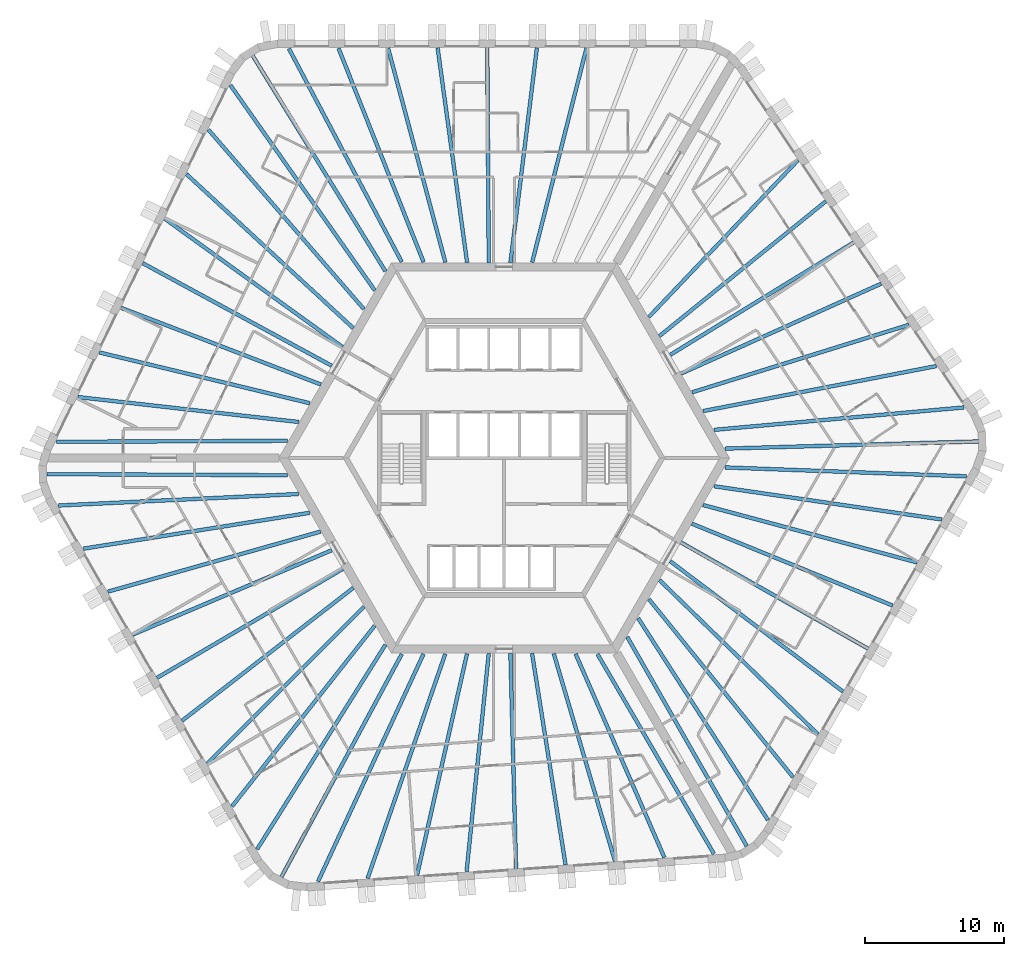
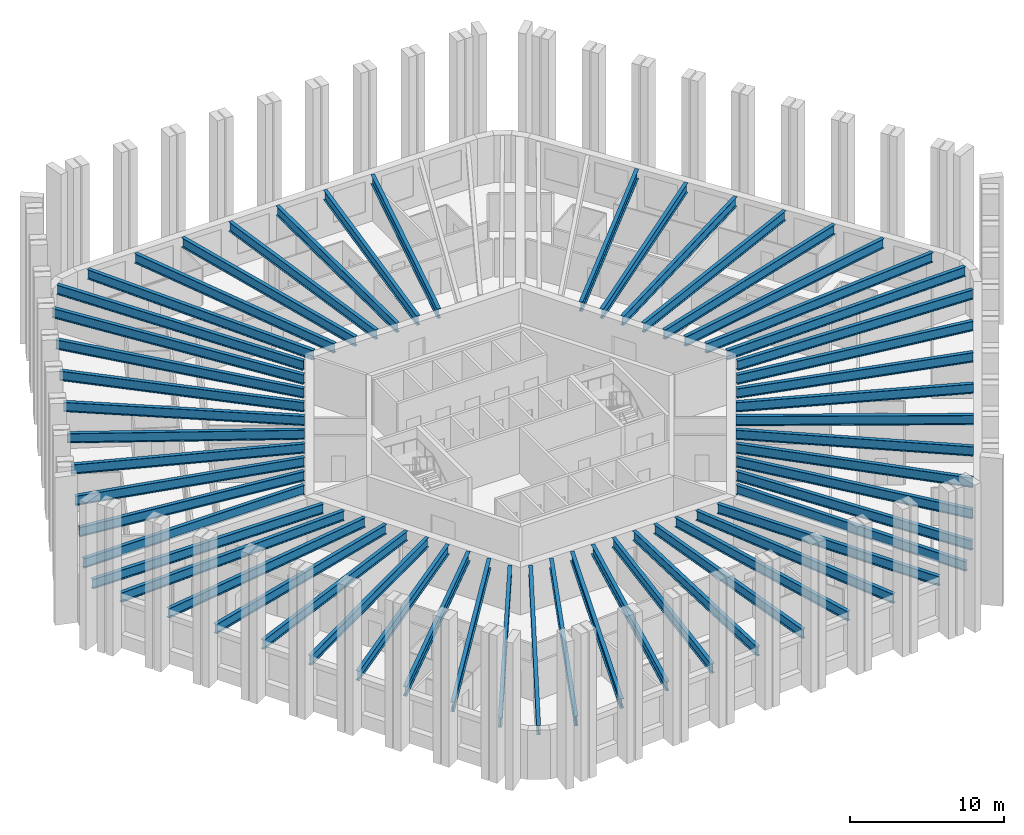
# One storey, part 1 of 13: 55 beams.
"""IFC4 building model written with IfcOpenShell, lengths in metres."""

from ifc_helpers import new_model, si_unit, direction, frame, origin, origin_2d, place, context, subcontext, project, spatial, i_section, extrude, material, material_profile, profile_set, type_object, element, save


model = new_model("IFC4")

# Units and contexts
model_context = context("Model", 3, precision=1e-05, world=origin(), true_north=direction((0.0, 1.0)))
body_context = subcontext(model_context, "Body", "Model", "MODEL_VIEW")
ifc_project = project(units=[si_unit("LENGTHUNIT", "METRE"), si_unit("AREAUNIT", "SQUARE_METRE"), si_unit("VOLUMEUNIT", "CUBIC_METRE"), si_unit("PLANEANGLEUNIT", "RADIAN"), si_unit("MASSUNIT", "GRAM", prefix="KILO")], contexts=[model_context])

# Site, building, storey
site_placement = place(None, origin())
site = spatial("IfcSite", under=ifc_project, at=site_placement, CompositionType="ELEMENT")
building_placement = place(site_placement, origin())
building = spatial("IfcBuilding", under=site, at=building_placement, Name="Tarnside Tower", CompositionType="ELEMENT")
storey_placement = place(building_placement, frame((0.0, 0.0, 111.60009765625)))
storey = spatial("IfcBuildingStorey", under=building, at=storey_placement, Name="L25", CompositionType="ELEMENT", Elevation=111.60009765625)

# Beams
ifc_material = material(Name="Steel S355", Category="steel")
ifc_material_profile_1 = material_profile(ifc_material, i_section(OverallWidth=0.26513671875, OverallDepth=0.75390625, WebThickness=0.0126953125, FlangeThickness=0.017578125, FilletRadius=0.0166015625, at=origin_2d()), Name="UB 762x267x147")
ifc_profile_set_1 = profile_set([ifc_material_profile_1], Name="Steel S355")
beam_type_1 = type_object("IfcBeamType", Name="Floor beam UB 762x267x147", PredefinedType="BEAM", material=ifc_profile_set_1)
beam_1_placement = place(storey_placement, frame((2.3525390625, 29.43017578125, 3.372802734375), z_axis=(-0.122329629165, -0.992489527314, 0.0), x_axis=(0.992489527314, -0.122329629165, 0.0)))
element("IfcBeam", 1, at=beam_1_placement, inside=storey, type_object=beam_type_1, Name="Floor beam F1.04", PredefinedType="BEAM", context=body_context, shape_type="SweptSolid", body=[
    extrude(i_section(OverallWidth=0.26513671875, OverallDepth=0.75390625, WebThickness=0.0126953125, FlangeThickness=0.017578125, FilletRadius=0.0166015625, at=origin_2d()), origin(), (0.0, 0.0, 1.0), 15.527099609375),
])
beam_2_placement = place(storey_placement, frame((-1.208984375, 29.449951171875, 3.372802734375), z_axis=(0.007000128723, -0.999975498799, 0.0), x_axis=(0.999975498799, 0.007000128723, 0.0)))
element("IfcBeam", 2, at=beam_2_placement, inside=storey, type_object=beam_type_1, Name="Floor beam F1.05", PredefinedType="BEAM", context=body_context, shape_type="SweptSolid", body=[
    extrude(i_section(OverallWidth=0.26513671875, OverallDepth=0.75390625, WebThickness=0.0126953125, FlangeThickness=0.017578125, FilletRadius=0.0166015625, at=origin_2d()), origin(), (0.0, 0.0, 1.0), 15.450439453125),
])
beam_3_placement = place(storey_placement, frame((-4.7705078125, 29.43017578125, 3.372802734375), z_axis=(0.136000560933, -0.990708760144, 0.0), x_axis=(0.990708760144, 0.136000560933, 0.0)))
element("IfcBeam", 3, at=beam_3_placement, inside=storey, type_object=beam_type_1, Name="Floor beam F1.06", PredefinedType="BEAM", context=body_context, shape_type="SweptSolid", body=[
    extrude(i_section(OverallWidth=0.26513671875, OverallDepth=0.75390625, WebThickness=0.0126953125, FlangeThickness=0.017578125, FilletRadius=0.0166015625, at=origin_2d()), origin(), (0.0, 0.0, 1.0), 15.554931640625),
])
beam_4_placement = place(storey_placement, frame((-24.348876953125, 17.168212890625, 3.372802734375), z_axis=(0.811027744825, -0.585007689799, 0.0), x_axis=(0.585007689799, 0.811027744825, 0.0)))
element("IfcBeam", 4, at=beam_4_placement, inside=storey, type_object=beam_type_1, Name="Floor beam F2.04", PredefinedType="BEAM", context=body_context, shape_type="SweptSolid", body=[
    extrude(i_section(OverallWidth=0.26513671875, OverallDepth=0.75390625, WebThickness=0.0126953125, FlangeThickness=0.017578125, FilletRadius=0.0166015625, at=origin_2d()), origin(), (0.0, 0.0, 1.0), 15.731689453125),
])
beam_5_placement = place(storey_placement, frame((-25.92626953125, 13.978271484375, 3.372802734375), z_axis=(0.878894567679, -0.477016078245, 0.0), x_axis=(0.477016078245, 0.878894567679, 0.0)))
element("IfcBeam", 5, at=beam_5_placement, inside=storey, type_object=beam_type_1, Name="Floor beam F2.05", PredefinedType="BEAM", context=body_context, shape_type="SweptSolid", body=[
    extrude(i_section(OverallWidth=0.26513671875, OverallDepth=0.75390625, WebThickness=0.0126953125, FlangeThickness=0.017578125, FilletRadius=0.0166015625, at=origin_2d()), origin(), (0.0, 0.0, 1.0), 15.427490234375),
])
beam_6_placement = place(storey_placement, frame((-27.487548828125, 10.77734375, 3.372802734375), z_axis=(0.933617702452, -0.358270827264, 0.0), x_axis=(0.358270827264, 0.933617702452, 0.0)))
element("IfcBeam", 6, at=beam_6_placement, inside=storey, type_object=beam_type_1, Name="Floor beam F2.06", PredefinedType="BEAM", context=body_context, shape_type="SweptSolid", body=[
    extrude(i_section(OverallWidth=0.26513671875, OverallDepth=0.75390625, WebThickness=0.0126953125, FlangeThickness=0.017578125, FilletRadius=0.0166015625, at=origin_2d()), origin(), (0.0, 0.0, 1.0), 15.363037109375),
])
beam_7_placement = place(storey_placement, frame((-29.029296875, 7.572509765625, 3.372802734375), z_axis=(0.972101750991, -0.234559556873, 0.0), x_axis=(0.234559556873, 0.972101750991, 0.0)))
element("IfcBeam", 7, at=beam_7_placement, inside=storey, type_object=beam_type_1, Name="Floor beam F2.07", PredefinedType="BEAM", context=body_context, shape_type="SweptSolid", body=[
    extrude(i_section(OverallWidth=0.26513671875, OverallDepth=0.75390625, WebThickness=0.0126953125, FlangeThickness=0.017578125, FilletRadius=0.0166015625, at=origin_2d()), origin(), (0.0, 0.0, 1.0), 15.522216796875),
])
beam_8_placement = place(storey_placement, frame((-26.66357421875, -12.677734375, 3.372802734375), z_axis=(0.920684021494, 0.390308765679, 0.0), x_axis=(-0.390308765679, 0.920684021494, 0.0)))
element("IfcBeam", 8, at=beam_8_placement, inside=storey, type_object=beam_type_1, Name="Floor beam F3.04", PredefinedType="BEAM", context=body_context, shape_type="SweptSolid", body=[
    extrude(i_section(OverallWidth=0.26513671875, OverallDepth=0.75390625, WebThickness=0.0126953125, FlangeThickness=0.017578125, FilletRadius=0.0166015625, at=origin_2d()), origin(), (0.0, 0.0, 1.0), 15.52685546875),
])
beam_9_placement = place(storey_placement, frame((-24.89990234375, -15.772216796875, 3.372802734375), z_axis=(0.862497502004, 0.506061319443, 0.0), x_axis=(-0.506061319443, 0.862497502004, 0.0)))
element("IfcBeam", 9, at=beam_9_placement, inside=storey, type_object=beam_type_1, Name="Floor beam F3.05", PredefinedType="BEAM", context=body_context, shape_type="SweptSolid", body=[
    extrude(i_section(OverallWidth=0.26513671875, OverallDepth=0.75390625, WebThickness=0.0126953125, FlangeThickness=0.017578125, FilletRadius=0.0166015625, at=origin_2d()), origin(), (0.0, 0.0, 1.0), 15.450439453125),
])
beam_10_placement = place(storey_placement, frame((-23.10205078125, -18.846435546875, 3.372802734375), z_axis=(0.789983963813, 0.613127504617, 0.0), x_axis=(-0.613127504617, 0.789983963813, 0.0)))
element("IfcBeam", 10, at=beam_10_placement, inside=storey, type_object=beam_type_1, Name="Floor beam F3.06", PredefinedType="BEAM", context=body_context, shape_type="SweptSolid", body=[
    extrude(i_section(OverallWidth=0.26513671875, OverallDepth=0.75390625, WebThickness=0.0126953125, FlangeThickness=0.017578125, FilletRadius=0.0166015625, at=origin_2d()), origin(), (0.0, 0.0, 1.0), 15.554931640625),
])
beam_11_placement = place(storey_placement, frame((-2.693603515625, -29.6708984375, 3.372802734375), z_axis=(0.101123115756, 0.994873919379, 0.0), x_axis=(-0.994873919379, 0.101123115756, 0.0)))
element("IfcBeam", 11, at=beam_11_placement, inside=storey, type_object=beam_type_1, Name="Floor beam F4.04", PredefinedType="BEAM", context=body_context, shape_type="SweptSolid", body=[
    extrude(i_section(OverallWidth=0.26513671875, OverallDepth=0.75390625, WebThickness=0.0126953125, FlangeThickness=0.017578125, FilletRadius=0.0166015625, at=origin_2d()), origin(), (0.0, 0.0, 1.0), 15.7314453125),
])
beam_12_placement = place(storey_placement, frame((0.857666015625, -29.44189453125, 3.372802734375), z_axis=(-0.026333316788, 0.999653218085, 0.0), x_axis=(-0.999653218085, -0.026333316788, 0.0)))
element("IfcBeam", 12, at=beam_12_placement, inside=storey, type_object=beam_type_1, Name="Floor beam F4.05", PredefinedType="BEAM", context=body_context, shape_type="SweptSolid", body=[
    extrude(i_section(OverallWidth=0.26513671875, OverallDepth=0.75390625, WebThickness=0.0126953125, FlangeThickness=0.017578125, FilletRadius=0.0166015625, at=origin_2d()), origin(), (0.0, 0.0, 1.0), 15.42724609375),
])
beam_13_placement = place(storey_placement, frame((4.41015625, -29.193603515625, 3.372802734375), z_axis=(-0.156513375907, 0.98767583911, 0.0), x_axis=(-0.98767583911, -0.156513375907, 0.0)))
element("IfcBeam", 13, at=beam_13_placement, inside=storey, type_object=beam_type_1, Name="Floor beam F4.06", PredefinedType="BEAM", context=body_context, shape_type="SweptSolid", body=[
    extrude(i_section(OverallWidth=0.26513671875, OverallDepth=0.75390625, WebThickness=0.0126953125, FlangeThickness=0.017578125, FilletRadius=0.0166015625, at=origin_2d()), origin(), (0.0, 0.0, 1.0), 15.36328125),
])
beam_14_placement = place(storey_placement, frame((7.956787109375, -28.926513671875, 3.372802734375), z_axis=(-0.282920694328, 0.959143305623, 0.0), x_axis=(-0.959143305623, -0.282920694328, 0.0)))
element("IfcBeam", 14, at=beam_14_placement, inside=storey, type_object=beam_type_1, Name="Floor beam F4.07", PredefinedType="BEAM", context=body_context, shape_type="SweptSolid", body=[
    extrude(i_section(OverallWidth=0.26513671875, OverallDepth=0.75390625, WebThickness=0.0126953125, FlangeThickness=0.017578125, FilletRadius=0.0166015625, at=origin_2d()), origin(), (0.0, 0.0, 1.0), 15.5224609375),
])
beam_15_placement = place(storey_placement, frame((24.31103515625, -16.75244140625, 3.372802734375), z_axis=(-0.798361152727, 0.602178935049, 0.0), x_axis=(-0.602178935049, -0.798361152727, 0.0)))
element("IfcBeam", 15, at=beam_15_placement, inside=storey, type_object=beam_type_1, Name="Floor beam F5.04", PredefinedType="BEAM", context=body_context, shape_type="SweptSolid", body=[
    extrude(i_section(OverallWidth=0.26513671875, OverallDepth=0.75390625, WebThickness=0.0126953125, FlangeThickness=0.017578125, FilletRadius=0.0166015625, at=origin_2d()), origin(), (0.0, 0.0, 1.0), 15.527099609375),
])
beam_16_placement = place(storey_placement, frame((26.10888671875, -13.677978515625, 3.372802734375), z_axis=(-0.869502520992, 0.493928502911, 0.0), x_axis=(-0.493928502911, -0.869502520992, 0.0)))
element("IfcBeam", 16, at=beam_16_placement, inside=storey, type_object=beam_type_1, Name="Floor beam F5.05", PredefinedType="BEAM", context=body_context, shape_type="SweptSolid", body=[
    extrude(i_section(OverallWidth=0.26513671875, OverallDepth=0.75390625, WebThickness=0.0126953125, FlangeThickness=0.017578125, FilletRadius=0.0166015625, at=origin_2d()), origin(), (0.0, 0.0, 1.0), 15.4501953125),
])
beam_17_placement = place(storey_placement, frame((27.87255859375, -10.58349609375, 3.372802734375), z_axis=(-0.925981621163, 0.377568586177, 0.0), x_axis=(-0.377568586177, -0.925981621163, 0.0)))
element("IfcBeam", 17, at=beam_17_placement, inside=storey, type_object=beam_type_1, Name="Floor beam F5.06", PredefinedType="BEAM", context=body_context, shape_type="SweptSolid", body=[
    extrude(i_section(OverallWidth=0.26513671875, OverallDepth=0.75390625, WebThickness=0.0126953125, FlangeThickness=0.017578125, FilletRadius=0.0166015625, at=origin_2d()), origin(), (0.0, 0.0, 1.0), 15.554931640625),
])
beam_18_placement = place(storey_placement, frame((27.04248046875, 12.502685546875, 3.372802734375), z_axis=(-0.912146413919, -0.409864513681, 0.0), x_axis=(0.409864513681, -0.912146413919, 0.0)))
element("IfcBeam", 18, at=beam_18_placement, inside=storey, type_object=beam_type_1, Name="Floor beam F6.04", PredefinedType="BEAM", context=body_context, shape_type="SweptSolid", body=[
    extrude(i_section(OverallWidth=0.26513671875, OverallDepth=0.75390625, WebThickness=0.0126953125, FlangeThickness=0.017578125, FilletRadius=0.0166015625, at=origin_2d()), origin(), (0.0, 0.0, 1.0), 15.7314453125),
])
beam_19_placement = place(storey_placement, frame((25.068603515625, 15.463623046875, 3.372802734375), z_axis=(-0.852558490017, -0.522631821744, 0.0), x_axis=(0.522631821744, -0.852558490017, 0.0)))
element("IfcBeam", 19, at=beam_19_placement, inside=storey, type_object=beam_type_1, Name="Floor beam F6.05", PredefinedType="BEAM", context=body_context, shape_type="SweptSolid", body=[
    extrude(i_section(OverallWidth=0.26513671875, OverallDepth=0.75390625, WebThickness=0.0126953125, FlangeThickness=0.017578125, FilletRadius=0.0166015625, at=origin_2d()), origin(), (0.0, 0.0, 1.0), 15.42724609375),
])
beam_20_placement = place(storey_placement, frame((23.0771484375, 18.416259765625, 3.372802734375), z_axis=(-0.777079423039, -0.629402550272, 0.0), x_axis=(0.629402550272, -0.777079423039, 0.0)))
element("IfcBeam", 20, at=beam_20_placement, inside=storey, type_object=beam_type_1, Name="Floor beam F6.06", PredefinedType="BEAM", context=body_context, shape_type="SweptSolid", body=[
    extrude(i_section(OverallWidth=0.26513671875, OverallDepth=0.75390625, WebThickness=0.0126953125, FlangeThickness=0.017578125, FilletRadius=0.0166015625, at=origin_2d()), origin(), (0.0, 0.0, 1.0), 15.36328125),
])
beam_21_placement = place(storey_placement, frame((21.072509765625, 21.35400390625, 3.372802734375), z_axis=(-0.689174694318, -0.724595225427, 0.0), x_axis=(0.724595225427, -0.689174694318, 0.0)))
element("IfcBeam", 21, at=beam_21_placement, inside=storey, type_object=beam_type_1, Name="Floor beam F6.07", PredefinedType="BEAM", context=body_context, shape_type="SweptSolid", body=[
    extrude(i_section(OverallWidth=0.26513671875, OverallDepth=0.75390625, WebThickness=0.0126953125, FlangeThickness=0.017578125, FilletRadius=0.0166015625, at=origin_2d()), origin(), (0.0, 0.0, 1.0), 15.522216796875),
])
ifc_material_profile_2 = material_profile(ifc_material, i_section(OverallWidth=0.2666015625, OverallDepth=0.76220703125, WebThickness=0.014404296875, FlangeThickness=0.021484375, FilletRadius=0.0166015625, at=origin_2d()), Name="UB 762x267x173")
ifc_profile_set_2 = profile_set([ifc_material_profile_2], Name="Steel S355")
beam_type_2 = type_object("IfcBeamType", Name="Floor beam UB 762x267x173", PredefinedType="BEAM", material=ifc_profile_set_2)
beam_22_placement = place(storey_placement, frame((5.909423828125, 29.4111328125, 3.368896484375), z_axis=(-0.245747281389, -0.969333933013, 0.0), x_axis=(0.969333933013, -0.245747281389, 0.0)))
element("IfcBeam", 22, at=beam_22_placement, inside=storey, type_object=beam_type_2, Name="Floor beam F1.03", PredefinedType="BEAM", context=body_context, shape_type="SweptSolid", body=[
    extrude(i_section(OverallWidth=0.2666015625, OverallDepth=0.76220703125, WebThickness=0.014404296875, FlangeThickness=0.021484375, FilletRadius=0.0166015625, at=origin_2d()), origin(), (0.0, 0.0, 1.0), 15.858642578125),
])
beam_23_placement = place(storey_placement, frame((-8.3271484375, 29.411376953125, 3.368896484375), z_axis=(0.258447478572, -0.966025310652, 0.0), x_axis=(0.966025310652, 0.258447478572, 0.0)))
element("IfcBeam", 23, at=beam_23_placement, inside=storey, type_object=beam_type_2, Name="Floor beam F1.07", PredefinedType="BEAM", context=body_context, shape_type="SweptSolid", body=[
    extrude(i_section(OverallWidth=0.2666015625, OverallDepth=0.76220703125, WebThickness=0.014404296875, FlangeThickness=0.021484375, FilletRadius=0.0166015625, at=origin_2d()), origin(), (0.0, 0.0, 1.0), 15.91357421875),
])
beam_24_placement = place(storey_placement, frame((-11.87939453125, 29.394287109375, 3.368896484375), z_axis=(0.369638204477, -0.929175762593, 0.0), x_axis=(0.929175762593, 0.369638204477, 0.0)))
element("IfcBeam", 24, at=beam_24_placement, inside=storey, type_object=beam_type_2, Name="Floor beam F1.08", PredefinedType="BEAM", context=body_context, shape_type="SweptSolid", body=[
    extrude(i_section(OverallWidth=0.2666015625, OverallDepth=0.76220703125, WebThickness=0.014404296875, FlangeThickness=0.021484375, FilletRadius=0.0166015625, at=origin_2d()), origin(), (0.0, 0.0, 1.0), 16.507568359375),
])
beam_25_placement = place(storey_placement, frame((-15.44580078125, 29.37939453125, 3.368896484375), z_axis=(0.467741993634, -0.883865050441, 0.0), x_axis=(0.883865050441, 0.467741993634, 0.0)))
element("IfcBeam", 25, at=beam_25_placement, inside=storey, type_object=beam_type_2, Name="Floor beam F1.09", PredefinedType="BEAM", context=body_context, shape_type="SweptSolid", body=[
    extrude(i_section(OverallWidth=0.2666015625, OverallDepth=0.76220703125, WebThickness=0.014404296875, FlangeThickness=0.021484375, FilletRadius=0.0166015625, at=origin_2d()), origin(), (0.0, 0.0, 1.0), 17.320068359375),
])
beam_26_placement = place(storey_placement, frame((-18.042236328125, 28.8701171875, 3.368896484375), z_axis=(0.524382977035, -0.851482526771, 0.0), x_axis=(0.851482526771, 0.524382977035, 0.0)))
element("IfcBeam", 26, at=beam_26_placement, inside=storey, type_object=beam_type_2, Name="Floor beam C1", PredefinedType="BEAM", context=body_context, shape_type="SweptSolid", body=[
    extrude(i_section(OverallWidth=0.2666015625, OverallDepth=0.76220703125, WebThickness=0.014404296875, FlangeThickness=0.021484375, FilletRadius=0.0166015625, at=origin_2d()), origin(), (0.0, 0.0, 1.0), 18.1728515625),
])
beam_27_placement = place(storey_placement, frame((-19.638671875, 26.75537109375, 3.368896484375), z_axis=(0.575411427849, -0.817864101609, 0.0), x_axis=(0.817864101609, 0.575411427849, 0.0)))
element("IfcBeam", 27, at=beam_27_placement, inside=storey, type_object=beam_type_2, Name="Floor beam F2.01", PredefinedType="BEAM", context=body_context, shape_type="SweptSolid", body=[
    extrude(i_section(OverallWidth=0.2666015625, OverallDepth=0.76220703125, WebThickness=0.014404296875, FlangeThickness=0.021484375, FilletRadius=0.0166015625, at=origin_2d()), origin(), (0.0, 0.0, 1.0), 18.00048828125),
])
beam_28_placement = place(storey_placement, frame((-21.21630859375, 23.554931640625, 3.368896484375), z_axis=(0.654980748073, -0.755645564834, 0.0), x_axis=(0.755645564834, 0.654980748073, 0.0)))
element("IfcBeam", 28, at=beam_28_placement, inside=storey, type_object=beam_type_2, Name="Floor beam F2.02", PredefinedType="BEAM", context=body_context, shape_type="SweptSolid", body=[
    extrude(i_section(OverallWidth=0.2666015625, OverallDepth=0.76220703125, WebThickness=0.014404296875, FlangeThickness=0.021484375, FilletRadius=0.0166015625, at=origin_2d()), origin(), (0.0, 0.0, 1.0), 17.0302734375),
])
beam_29_placement = place(storey_placement, frame((-22.7890625, 20.368408203125, 3.368896484375), z_axis=(0.734715474517, -0.678375391288, 0.0), x_axis=(0.678375391288, 0.734715474517, 0.0)))
element("IfcBeam", 29, at=beam_29_placement, inside=storey, type_object=beam_type_2, Name="Floor beam F2.03", PredefinedType="BEAM", context=body_context, shape_type="SweptSolid", body=[
    extrude(i_section(OverallWidth=0.2666015625, OverallDepth=0.76220703125, WebThickness=0.014404296875, FlangeThickness=0.021484375, FilletRadius=0.0166015625, at=origin_2d()), origin(), (0.0, 0.0, 1.0), 16.2802734375),
])
beam_30_placement = place(storey_placement, frame((-30.570556640625, 4.372802734375, 3.368896484375), z_axis=(0.993687302776, -0.112185312326, 0.0), x_axis=(0.112185312326, 0.993687302776, 0.0)))
element("IfcBeam", 30, at=beam_30_placement, inside=storey, type_object=beam_type_2, Name="Floor beam F2.08", PredefinedType="BEAM", context=body_context, shape_type="SweptSolid", body=[
    extrude(i_section(OverallWidth=0.2666015625, OverallDepth=0.76220703125, WebThickness=0.014404296875, FlangeThickness=0.021484375, FilletRadius=0.0166015625, at=origin_2d()), origin(), (0.0, 0.0, 1.0), 15.934326171875),
])
beam_31_placement = place(storey_placement, frame((-32.119384765625, 1.162109375, 3.368896484375), z_axis=(0.999990508787, 0.004356872304, 0.0), x_axis=(-0.004356872304, 0.999990508787, 0.0)))
element("IfcBeam", 31, at=beam_31_placement, inside=storey, type_object=beam_type_2, Name="Floor beam F2.09", PredefinedType="BEAM", context=body_context, shape_type="SweptSolid", body=[
    extrude(i_section(OverallWidth=0.2666015625, OverallDepth=0.76220703125, WebThickness=0.014404296875, FlangeThickness=0.021484375, FilletRadius=0.0166015625, at=origin_2d()), origin(), (0.0, 0.0, 1.0), 16.586669921875),
])
beam_32_placement = place(storey_placement, frame((-32.80712890625, -1.1572265625, 3.368896484375), z_axis=(0.999990027056, -0.004466070929, 0.0), x_axis=(0.004466070929, 0.999990027056, 0.0)))
element("IfcBeam", 32, at=beam_32_placement, inside=storey, type_object=beam_type_2, Name="Floor beam C2", PredefinedType="BEAM", context=body_context, shape_type="SweptSolid", body=[
    extrude(i_section(OverallWidth=0.2666015625, OverallDepth=0.76220703125, WebThickness=0.014404296875, FlangeThickness=0.021484375, FilletRadius=0.0166015625, at=origin_2d()), origin(), (0.0, 0.0, 1.0), 17.2744140625),
])
beam_33_placement = place(storey_placement, frame((-31.95703125, -3.406494140625, 3.368896484375), z_axis=(0.998853818522, 0.047864905982, 0.0), x_axis=(-0.047864905982, 0.998853818522, 0.0)))
element("IfcBeam", 33, at=beam_33_placement, inside=storey, type_object=beam_type_2, Name="Floor beam F3.01", PredefinedType="BEAM", context=body_context, shape_type="SweptSolid", body=[
    extrude(i_section(OverallWidth=0.2666015625, OverallDepth=0.76220703125, WebThickness=0.014404296875, FlangeThickness=0.021484375, FilletRadius=0.0166015625, at=origin_2d()), origin(), (0.0, 0.0, 1.0), 17.2197265625),
])
beam_34_placement = place(storey_placement, frame((-30.18701171875, -6.502685546875, 3.368896484375), z_axis=(0.987678477078, 0.156496728136, 0.0), x_axis=(-0.156496728136, 0.987678477078, 0.0)))
element("IfcBeam", 34, at=beam_34_placement, inside=storey, type_object=beam_type_2, Name="Floor beam F3.02", PredefinedType="BEAM", context=body_context, shape_type="SweptSolid", body=[
    extrude(i_section(OverallWidth=0.2666015625, OverallDepth=0.76220703125, WebThickness=0.014404296875, FlangeThickness=0.021484375, FilletRadius=0.0166015625, at=origin_2d()), origin(), (0.0, 0.0, 1.0), 16.4287109375),
])
beam_35_placement = place(storey_placement, frame((-28.425537109375, -9.587890625, 3.368896484375), z_axis=(0.962342240503, 0.271840784547, 0.0), x_axis=(-0.271840784547, 0.962342240503, 0.0)))
element("IfcBeam", 35, at=beam_35_placement, inside=storey, type_object=beam_type_2, Name="Floor beam F3.03", PredefinedType="BEAM", context=body_context, shape_type="SweptSolid", body=[
    extrude(i_section(OverallWidth=0.2666015625, OverallDepth=0.76220703125, WebThickness=0.014404296875, FlangeThickness=0.021484375, FilletRadius=0.0166015625, at=origin_2d()), origin(), (0.0, 0.0, 1.0), 15.858642578125),
])
beam_36_placement = place(storey_placement, frame((-21.307373046875, -21.917236328125, 3.368896484375), z_axis=(0.707367544857, 0.706845921318, 0.0), x_axis=(-0.706845921318, 0.707367544857, 0.0)))
element("IfcBeam", 36, at=beam_36_placement, inside=storey, type_object=beam_type_2, Name="Floor beam F3.07", PredefinedType="BEAM", context=body_context, shape_type="SweptSolid", body=[
    extrude(i_section(OverallWidth=0.2666015625, OverallDepth=0.76220703125, WebThickness=0.014404296875, FlangeThickness=0.021484375, FilletRadius=0.0166015625, at=origin_2d()), origin(), (0.0, 0.0, 1.0), 15.913330078125),
])
beam_37_placement = place(storey_placement, frame((-19.516357421875, -24.985107421875, 3.368896484375), z_axis=(0.619872995007, 0.784702153725, 0.0), x_axis=(-0.784702153725, 0.619872995007, 0.0)))
element("IfcBeam", 37, at=beam_37_placement, inside=storey, type_object=beam_type_2, Name="Floor beam F3.08", PredefinedType="BEAM", context=body_context, shape_type="SweptSolid", body=[
    extrude(i_section(OverallWidth=0.2666015625, OverallDepth=0.76220703125, WebThickness=0.014404296875, FlangeThickness=0.021484375, FilletRadius=0.0166015625, at=origin_2d()), origin(), (0.0, 0.0, 1.0), 16.507568359375),
])
beam_38_placement = place(storey_placement, frame((-17.72021484375, -28.066162109375, 3.368896484375), z_axis=(0.531583085704, 0.847006152866, 0.0), x_axis=(-0.847006152866, 0.531583085704, 0.0)))
element("IfcBeam", 38, at=beam_38_placement, inside=storey, type_object=beam_type_2, Name="Floor beam F3.09", PredefinedType="BEAM", context=body_context, shape_type="SweptSolid", body=[
    extrude(i_section(OverallWidth=0.2666015625, OverallDepth=0.76220703125, WebThickness=0.014404296875, FlangeThickness=0.021484375, FilletRadius=0.0166015625, at=origin_2d()), origin(), (0.0, 0.0, 1.0), 17.320068359375),
])
beam_39_placement = place(storey_placement, frame((-15.981201171875, -30.060302734375, 3.368896484375), z_axis=(0.475208200571, 0.879873380726, 0.0), x_axis=(-0.879873380726, 0.475208200571, 0.0)))
element("IfcBeam", 39, at=beam_39_placement, inside=storey, type_object=beam_type_2, Name="Floor beam C3", PredefinedType="BEAM", context=body_context, shape_type="SweptSolid", body=[
    extrude(i_section(OverallWidth=0.2666015625, OverallDepth=0.76220703125, WebThickness=0.014404296875, FlangeThickness=0.021484375, FilletRadius=0.0166015625, at=origin_2d()), origin(), (0.0, 0.0, 1.0), 18.173095703125),
])
beam_40_placement = place(storey_placement, frame((-13.3515625, -30.38525390625, 3.368896484375), z_axis=(0.42059199668, 0.907249895193, 0.0), x_axis=(-0.907249895193, 0.42059199668, 0.0)))
element("IfcBeam", 40, at=beam_40_placement, inside=storey, type_object=beam_type_2, Name="Floor beam F4.01", PredefinedType="BEAM", context=body_context, shape_type="SweptSolid", body=[
    extrude(i_section(OverallWidth=0.2666015625, OverallDepth=0.76220703125, WebThickness=0.014404296875, FlangeThickness=0.021484375, FilletRadius=0.0166015625, at=origin_2d()), origin(), (0.0, 0.0, 1.0), 18.000244140625),
])
beam_41_placement = place(storey_placement, frame((-9.791015625, -30.151123046875, 3.368896484375), z_axis=(0.326912128872, 0.945054739153, 0.0), x_axis=(-0.945054739153, 0.326912128872, 0.0)))
element("IfcBeam", 41, at=beam_41_placement, inside=storey, type_object=beam_type_2, Name="Floor beam F4.02", PredefinedType="BEAM", context=body_context, shape_type="SweptSolid", body=[
    extrude(i_section(OverallWidth=0.2666015625, OverallDepth=0.76220703125, WebThickness=0.014404296875, FlangeThickness=0.021484375, FilletRadius=0.0166015625, at=origin_2d()), origin(), (0.0, 0.0, 1.0), 17.0302734375),
])
beam_42_placement = place(storey_placement, frame((-6.2451171875, -29.920166015625, 3.368896484375), z_axis=(0.220139818673, 0.975468328668, 0.0), x_axis=(-0.975468328668, 0.220139818673, 0.0)))
element("IfcBeam", 42, at=beam_42_placement, inside=storey, type_object=beam_type_2, Name="Floor beam F4.03", PredefinedType="BEAM", context=body_context, shape_type="SweptSolid", body=[
    extrude(i_section(OverallWidth=0.2666015625, OverallDepth=0.76220703125, WebThickness=0.014404296875, FlangeThickness=0.021484375, FilletRadius=0.0166015625, at=origin_2d()), origin(), (0.0, 0.0, 1.0), 16.280517578125),
])
beam_43_placement = place(storey_placement, frame((11.498291015625, -28.6611328125, 3.368896484375), z_axis=(-0.399695682658, 0.916647893831, 0.0), x_axis=(-0.916647893831, -0.399695682658, 0.0)))
element("IfcBeam", 43, at=beam_43_placement, inside=storey, type_object=beam_type_2, Name="Floor beam F4.08", PredefinedType="BEAM", context=body_context, shape_type="SweptSolid", body=[
    extrude(i_section(OverallWidth=0.2666015625, OverallDepth=0.76220703125, WebThickness=0.014404296875, FlangeThickness=0.021484375, FilletRadius=0.0166015625, at=origin_2d()), origin(), (0.0, 0.0, 1.0), 15.934326171875),
])
beam_44_placement = place(storey_placement, frame((15.05322265625, -28.3974609375, 3.368896484375), z_axis=(-0.503758455062, 0.86384455717, 0.0), x_axis=(-0.86384455717, -0.503758455062, 0.0)))
element("IfcBeam", 44, at=beam_44_placement, inside=storey, type_object=beam_type_2, Name="Floor beam F4.09", PredefinedType="BEAM", context=body_context, shape_type="SweptSolid", body=[
    extrude(i_section(OverallWidth=0.2666015625, OverallDepth=0.76220703125, WebThickness=0.014404296875, FlangeThickness=0.021484375, FilletRadius=0.0166015625, at=origin_2d()), origin(), (0.0, 0.0, 1.0), 16.586669921875),
])
beam_45_placement = place(storey_placement, frame((17.40576171875, -27.833251953125, 3.368896484375), z_axis=(-0.496126762138, 0.868250099851, 0.0), x_axis=(-0.868250099851, -0.496126762138, 0.0)))
element("IfcBeam", 45, at=beam_45_placement, inside=storey, type_object=beam_type_2, Name="Floor beam C4", PredefinedType="BEAM", context=body_context, shape_type="SweptSolid", body=[
    extrude(i_section(OverallWidth=0.2666015625, OverallDepth=0.76220703125, WebThickness=0.014404296875, FlangeThickness=0.021484375, FilletRadius=0.0166015625, at=origin_2d()), origin(), (0.0, 0.0, 1.0), 17.2744140625),
])
beam_46_placement = place(storey_placement, frame((18.9287109375, -25.972412109375, 3.368896484375), z_axis=(-0.540872954463, 0.841104302171, 0.0), x_axis=(-0.841104302171, -0.540872954463, 0.0)))
element("IfcBeam", 46, at=beam_46_placement, inside=storey, type_object=beam_type_2, Name="Floor beam F5.01", PredefinedType="BEAM", context=body_context, shape_type="SweptSolid", body=[
    extrude(i_section(OverallWidth=0.2666015625, OverallDepth=0.76220703125, WebThickness=0.014404296875, FlangeThickness=0.021484375, FilletRadius=0.0166015625, at=origin_2d()), origin(), (0.0, 0.0, 1.0), 17.2197265625),
])
beam_47_placement = place(storey_placement, frame((20.72509765625, -22.89111328125, 3.368896484375), z_axis=(-0.62939015525, 0.777089462336, 0.0), x_axis=(-0.777089462336, -0.62939015525, 0.0)))
element("IfcBeam", 47, at=beam_47_placement, inside=storey, type_object=beam_type_2, Name="Floor beam F5.02", PredefinedType="BEAM", context=body_context, shape_type="SweptSolid", body=[
    extrude(i_section(OverallWidth=0.2666015625, OverallDepth=0.76220703125, WebThickness=0.014404296875, FlangeThickness=0.021484375, FilletRadius=0.0166015625, at=origin_2d()), origin(), (0.0, 0.0, 1.0), 16.4287109375),
])
beam_48_placement = place(storey_placement, frame((22.51611328125, -19.8232421875, 3.368896484375), z_axis=(-0.716594696052, 0.697489814686, 0.0), x_axis=(-0.697489814686, -0.716594696052, 0.0)))
element("IfcBeam", 48, at=beam_48_placement, inside=storey, type_object=beam_type_2, Name="Floor beam F5.03", PredefinedType="BEAM", context=body_context, shape_type="SweptSolid", body=[
    extrude(i_section(OverallWidth=0.2666015625, OverallDepth=0.76220703125, WebThickness=0.014404296875, FlangeThickness=0.021484375, FilletRadius=0.0166015625, at=origin_2d()), origin(), (0.0, 0.0, 1.0), 15.858642578125),
])
beam_49_placement = place(storey_placement, frame((29.634521484375, -7.494140625, 3.368896484375), z_axis=(-0.965827851395, 0.259184415946, 0.0), x_axis=(-0.259184415946, -0.965827851395, 0.0)))
element("IfcBeam", 49, at=beam_49_placement, inside=storey, type_object=beam_type_2, Name="Floor beam F5.07", PredefinedType="BEAM", context=body_context, shape_type="SweptSolid", body=[
    extrude(i_section(OverallWidth=0.2666015625, OverallDepth=0.76220703125, WebThickness=0.014404296875, FlangeThickness=0.021484375, FilletRadius=0.0166015625, at=origin_2d()), origin(), (0.0, 0.0, 1.0), 15.913330078125),
])
beam_50_placement = place(storey_placement, frame((31.39599609375, -4.4091796875, 3.368896484375), z_axis=(-0.989507887412, 0.144478859177, 0.0), x_axis=(-0.144478859177, -0.989507887412, 0.0)))
element("IfcBeam", 50, at=beam_50_placement, inside=storey, type_object=beam_type_2, Name="Floor beam F5.08", PredefinedType="BEAM", context=body_context, shape_type="SweptSolid", body=[
    extrude(i_section(OverallWidth=0.2666015625, OverallDepth=0.76220703125, WebThickness=0.014404296875, FlangeThickness=0.021484375, FilletRadius=0.0166015625, at=origin_2d()), origin(), (0.0, 0.0, 1.0), 16.507568359375),
])
beam_51_placement = place(storey_placement, frame((33.166259765625, -1.31298828125, 3.368896484375), z_axis=(-0.999320941149, 0.036846391708, 0.0), x_axis=(-0.036846391708, -0.999320941149, 0.0)))
element("IfcBeam", 51, at=beam_51_placement, inside=storey, type_object=beam_type_2, Name="Floor beam F5.09", PredefinedType="BEAM", context=body_context, shape_type="SweptSolid", body=[
    extrude(i_section(OverallWidth=0.2666015625, OverallDepth=0.76220703125, WebThickness=0.014404296875, FlangeThickness=0.021484375, FilletRadius=0.0166015625, at=origin_2d()), origin(), (0.0, 0.0, 1.0), 17.320068359375),
])
beam_52_placement = place(storey_placement, frame((34.0234375, 1.18994140625, 3.368896484375), z_axis=(-0.999597013499, -0.028386803343, 0.0), x_axis=(0.028386803343, -0.999597013499, 0.0)))
element("IfcBeam", 52, at=beam_52_placement, inside=storey, type_object=beam_type_2, Name="Floor beam C5", PredefinedType="BEAM", context=body_context, shape_type="SweptSolid", body=[
    extrude(i_section(OverallWidth=0.2666015625, OverallDepth=0.76220703125, WebThickness=0.014404296875, FlangeThickness=0.021484375, FilletRadius=0.0166015625, at=origin_2d()), origin(), (0.0, 0.0, 1.0), 18.1728515625),
])
beam_53_placement = place(storey_placement, frame((32.990234375, 3.6298828125, 3.368896484375), z_axis=(-0.995997485142, -0.089381259731, 0.0), x_axis=(0.089381259731, -0.995997485142, 0.0)))
element("IfcBeam", 53, at=beam_53_placement, inside=storey, type_object=beam_type_2, Name="Floor beam F6.01", PredefinedType="BEAM", context=body_context, shape_type="SweptSolid", body=[
    extrude(i_section(OverallWidth=0.2666015625, OverallDepth=0.76220703125, WebThickness=0.014404296875, FlangeThickness=0.021484375, FilletRadius=0.0166015625, at=origin_2d()), origin(), (0.0, 0.0, 1.0), 18.000244140625),
])
beam_54_placement = place(storey_placement, frame((31.007080078125, 6.596435546875, 3.368896484375), z_axis=(-0.981896564922, -0.189417886679, 0.0), x_axis=(0.189417886679, -0.981896564922, 0.0)))
element("IfcBeam", 54, at=beam_54_placement, inside=storey, type_object=beam_type_2, Name="Floor beam F6.02", PredefinedType="BEAM", context=body_context, shape_type="SweptSolid", body=[
    extrude(i_section(OverallWidth=0.2666015625, OverallDepth=0.76220703125, WebThickness=0.014404296875, FlangeThickness=0.021484375, FilletRadius=0.0166015625, at=origin_2d()), origin(), (0.0, 0.0, 1.0), 17.0302734375),
])
beam_55_placement = place(storey_placement, frame((29.0341796875, 9.5517578125, 3.368896484375), z_axis=(-0.954846945108, -0.297098151152, 0.0), x_axis=(0.297098151152, -0.954846945108, 0.0)))
element("IfcBeam", 55, at=beam_55_placement, inside=storey, type_object=beam_type_2, Name="Floor beam F6.03", PredefinedType="BEAM", context=body_context, shape_type="SweptSolid", body=[
    extrude(i_section(OverallWidth=0.2666015625, OverallDepth=0.76220703125, WebThickness=0.014404296875, FlangeThickness=0.021484375, FilletRadius=0.0166015625, at=origin_2d()), origin(), (0.0, 0.0, 1.0), 16.280517578125),
])

save(model, "model.ifc")
